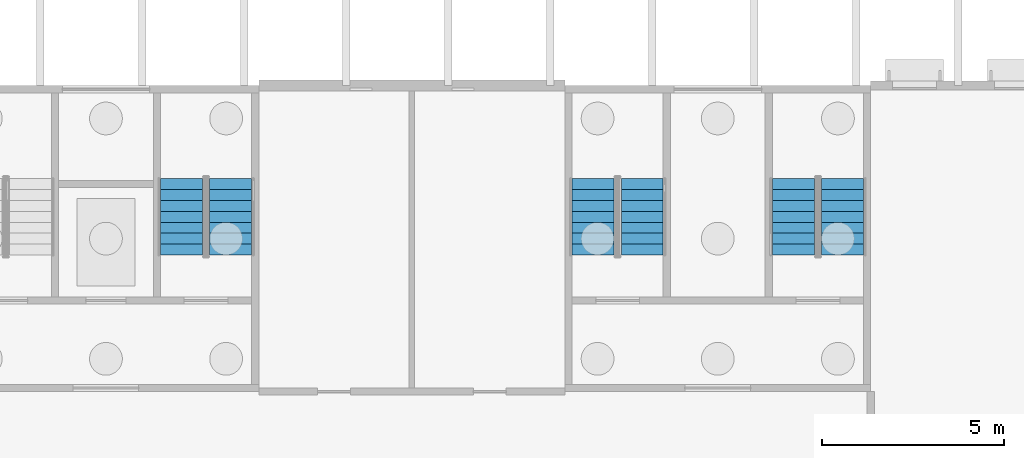
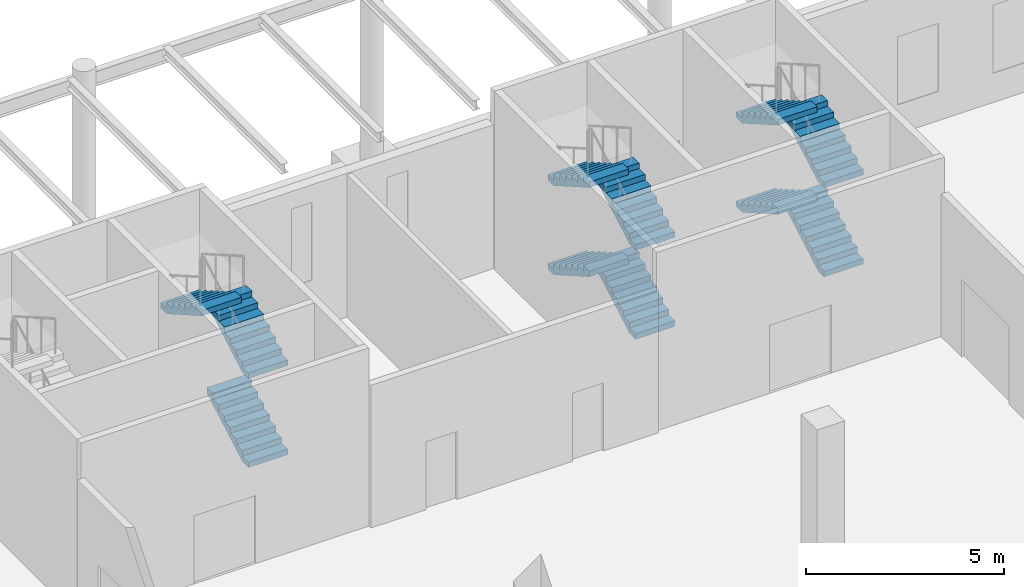
# One storey, part 48 of 82: 11 stair flights, 3 elements without a shape of their own.
"""IFC4 building model written with IfcOpenShell, lengths in metres."""

from ifc_helpers import new_model, si_unit, direction, frame, origin, place, context, subcontext, project, spatial, polyline, outline, extrude, material, type_object, element, aggregate, save


model = new_model("IFC4")

# Units and contexts
model_context = context("Model", 3, precision=1e-05, world=origin(), true_north=direction((0.0, 1.0)))
body_context = subcontext(model_context, "Body", "Model", "MODEL_VIEW")
ifc_project = project(units=[si_unit("LENGTHUNIT", "METRE"), si_unit("AREAUNIT", "SQUARE_METRE"), si_unit("VOLUMEUNIT", "CUBIC_METRE"), si_unit("PLANEANGLEUNIT", "RADIAN"), si_unit("MASSUNIT", "GRAM", prefix="KILO")], contexts=[model_context])

# Site, building, storey
site_placement = place(None, origin())
site = spatial("IfcSite", under=ifc_project, at=site_placement, CompositionType="ELEMENT")
building_placement = place(site_placement, origin())
building = spatial("IfcBuilding", under=site, at=building_placement, Name="Almond Square Museum", CompositionType="ELEMENT")
storey_placement = place(building_placement, origin())
storey = spatial("IfcBuildingStorey", under=building, at=storey_placement, Name="L00", CompositionType="ELEMENT", Elevation=0.0)

# Stair, stair flights
ifc_material_1 = material(Name="Concrete C40/50", Category="concrete")
stair_type = type_object("IfcStairType", Name="Exit stair 32 risers of 172 mm", PredefinedType="HALF_TURN_STAIR", material=ifc_material_1)
stair_1_placement = place(storey_placement, origin())
stair_1 = element("IfcStair", 1, at=stair_1_placement, inside=storey, type_object=stair_type, Name="L00 stair H3-1", PredefinedType="HALF_TURN_STAIR")
ifc_material_2 = material(Name="Concrete C40/50", Category="concrete")
stair_flight_type = type_object("IfcStairFlightType", Name="Concrete flight", PredefinedType="STRAIGHT", material=ifc_material_2)
stair_flight_1_placement = place(storey_placement, frame((142.52490234375, 104.550048828125, 0.0), z_axis=(0.0, 0.0, 1.0), x_axis=(0.0, 1.0, 0.0)))
stair_flight_1 = element("IfcStairFlight", 2, at=stair_flight_1_placement, type_object=stair_flight_type, Name="ST-05 flight 1", NumberOfRisers=8, NumberOfTreads=7, PredefinedType="STRAIGHT", RiserHeight=0.171875, TreadLength=0.3, context=body_context, shape_type="SweptSolid", body=[
    extrude(outline(polyline([(0.0, 0.0), (0.0, 0.171875), (0.300048828125, 0.171875), (0.300048828125, 0.34375), (0.60009765625, 0.34375), (0.60009765625, 0.515625), (0.89990234375, 0.515625), (0.89990234375, 0.6875), (1.199951171875, 0.6875), (1.199951171875, 0.859375), (1.5, 0.859375), (1.5, 1.03125), (1.800048828125, 1.03125), (1.800048828125, 1.203125), (2.10009765625, 1.203125), (2.10009765625, 1.375), (2.10009765625, 1.0302734375), (0.301513671875, 0.0), (0.0, 0.0)])), frame((0.0, 0.574951171875, 0.0), z_axis=(0.0, -1.0, 0.0), x_axis=(1.0, 0.0, 0.0)), (0.0, 0.0, 1.0), 1.14990234375),
])
stair_flight_2_placement = place(storey_placement, frame((141.175048828125, 106.64990234375, 1.375), z_axis=(0.0, 0.0, 1.0), x_axis=(0.0, -1.0, 0.0)))
stair_flight_2 = element("IfcStairFlight", 3, at=stair_flight_2_placement, type_object=stair_flight_type, Name="ST-05 flight 2", NumberOfRisers=8, NumberOfTreads=7, PredefinedType="STRAIGHT", RiserHeight=0.171875, TreadLength=0.3, context=body_context, shape_type="SweptSolid", body=[
    extrude(outline(polyline([(0.0, 0.0), (0.0, 0.171875), (0.300048828125, 0.171875), (0.300048828125, 0.34375), (0.60009765625, 0.34375), (0.60009765625, 0.515625), (0.89990234375, 0.515625), (0.89990234375, 0.6875), (1.199951171875, 0.6875), (1.199951171875, 0.859375), (1.5, 0.859375), (1.5, 1.03125), (1.800048828125, 1.03125), (1.800048828125, 1.203125), (2.10009765625, 1.203125), (2.10009765625, 1.375), (2.10009765625, 1.0302734375), (0.301513671875, 0.0), (0.0, 0.0)])), frame((0.0, 0.574951171875, 0.0), z_axis=(0.0, -1.0, 0.0), x_axis=(1.0, 0.0, 0.0)), (0.0, 0.0, 1.0), 1.14990234375),
])
stair_flight_3_placement = place(storey_placement, frame((142.52490234375, 104.550048828125, 2.75), z_axis=(0.0, 0.0, 1.0), x_axis=(0.0, 1.0, 0.0)))
stair_flight_3 = element("IfcStairFlight", 4, at=stair_flight_3_placement, type_object=stair_flight_type, Name="ST-05 flight 3", NumberOfRisers=8, NumberOfTreads=7, PredefinedType="STRAIGHT", RiserHeight=0.171875, TreadLength=0.3, context=body_context, shape_type="SweptSolid", body=[
    extrude(outline(polyline([(0.0, 0.0), (0.0, 0.171875), (0.300048828125, 0.171875), (0.300048828125, 0.34375), (0.60009765625, 0.34375), (0.60009765625, 0.515625), (0.89990234375, 0.515625), (0.89990234375, 0.6875), (1.199951171875, 0.6875), (1.199951171875, 0.859375), (1.5, 0.859375), (1.5, 1.03125), (1.800048828125, 1.03125), (1.800048828125, 1.203125), (2.10009765625, 1.203125), (2.10009765625, 1.375), (2.10009765625, 1.0302734375), (0.301513671875, 0.0), (0.0, 0.0)])), frame((0.0, 0.574951171875, 0.0), z_axis=(0.0, -1.0, 0.0), x_axis=(1.0, 0.0, 0.0)), (0.0, 0.0, 1.0), 1.14990234375),
])
stair_flight_4_placement = place(storey_placement, frame((141.175048828125, 106.64990234375, 4.125), z_axis=(0.0, 0.0, 1.0), x_axis=(0.0, -1.0, 0.0)))
stair_flight_4 = element("IfcStairFlight", 5, at=stair_flight_4_placement, type_object=stair_flight_type, Name="ST-05 flight 4", NumberOfRisers=8, NumberOfTreads=7, PredefinedType="STRAIGHT", RiserHeight=0.171875, TreadLength=0.3, context=body_context, shape_type="SweptSolid", body=[
    extrude(outline(polyline([(0.0, 0.0), (0.0, 0.171875), (0.300048828125, 0.171875), (0.300048828125, 0.34375), (0.60009765625, 0.34375), (0.60009765625, 0.515625), (0.89990234375, 0.515625), (0.89990234375, 0.6875), (1.199951171875, 0.6875), (1.199951171875, 0.859375), (1.5, 0.859375), (1.5, 1.03125), (1.800048828125, 1.03125), (1.800048828125, 1.203125), (2.10009765625, 1.203125), (2.10009765625, 1.375), (2.10009765625, 1.0302734375), (0.301513671875, 0.0), (0.0, 0.0)])), frame((0.0, 0.574951171875, 0.0), z_axis=(0.0, -1.0, 0.0), x_axis=(1.0, 0.0, 0.0)), (0.0, 0.0, 1.0), 1.14990234375),
])
aggregate(stair_1, [stair_flight_1, stair_flight_2, stair_flight_3, stair_flight_4])

stair_2_placement = place(storey_placement, origin())
stair_2 = element("IfcStair", 6, at=stair_2_placement, inside=storey, type_object=stair_type, Name="L00 stair H3-2", PredefinedType="HALF_TURN_STAIR")
stair_flight_5_placement = place(storey_placement, frame((148.02490234375, 104.550048828125, 0.0), z_axis=(0.0, 0.0, 1.0), x_axis=(0.0, 1.0, 0.0)))
stair_flight_5 = element("IfcStairFlight", 7, at=stair_flight_5_placement, type_object=stair_flight_type, Name="ST-06 flight 1", NumberOfRisers=8, NumberOfTreads=7, PredefinedType="STRAIGHT", RiserHeight=0.171875, TreadLength=0.3, context=body_context, shape_type="SweptSolid", body=[
    extrude(outline(polyline([(0.0, 0.0), (0.0, 0.171875), (0.300048828125, 0.171875), (0.300048828125, 0.34375), (0.60009765625, 0.34375), (0.60009765625, 0.515625), (0.89990234375, 0.515625), (0.89990234375, 0.6875), (1.199951171875, 0.6875), (1.199951171875, 0.859375), (1.5, 0.859375), (1.5, 1.03125), (1.800048828125, 1.03125), (1.800048828125, 1.203125), (2.10009765625, 1.203125), (2.10009765625, 1.375), (2.10009765625, 1.0302734375), (0.301513671875, 0.0), (0.0, 0.0)])), frame((0.0, 0.574951171875, 0.0), z_axis=(0.0, -1.0, 0.0), x_axis=(1.0, 0.0, 0.0)), (0.0, 0.0, 1.0), 1.14990234375),
])
stair_flight_6_placement = place(storey_placement, frame((146.675048828125, 106.64990234375, 1.375), z_axis=(0.0, 0.0, 1.0), x_axis=(0.0, -1.0, 0.0)))
stair_flight_6 = element("IfcStairFlight", 8, at=stair_flight_6_placement, type_object=stair_flight_type, Name="ST-06 flight 2", NumberOfRisers=8, NumberOfTreads=7, PredefinedType="STRAIGHT", RiserHeight=0.171875, TreadLength=0.3, context=body_context, shape_type="SweptSolid", body=[
    extrude(outline(polyline([(0.0, 0.0), (0.0, 0.171875), (0.300048828125, 0.171875), (0.300048828125, 0.34375), (0.60009765625, 0.34375), (0.60009765625, 0.515625), (0.89990234375, 0.515625), (0.89990234375, 0.6875), (1.199951171875, 0.6875), (1.199951171875, 0.859375), (1.5, 0.859375), (1.5, 1.03125), (1.800048828125, 1.03125), (1.800048828125, 1.203125), (2.10009765625, 1.203125), (2.10009765625, 1.375), (2.10009765625, 1.0302734375), (0.301513671875, 0.0), (0.0, 0.0)])), frame((0.0, 0.574951171875, 0.0), z_axis=(0.0, -1.0, 0.0), x_axis=(1.0, 0.0, 0.0)), (0.0, 0.0, 1.0), 1.14990234375),
])
stair_flight_7_placement = place(storey_placement, frame((148.02490234375, 104.550048828125, 2.75), z_axis=(0.0, 0.0, 1.0), x_axis=(0.0, 1.0, 0.0)))
stair_flight_7 = element("IfcStairFlight", 9, at=stair_flight_7_placement, type_object=stair_flight_type, Name="ST-06 flight 3", NumberOfRisers=8, NumberOfTreads=7, PredefinedType="STRAIGHT", RiserHeight=0.171875, TreadLength=0.3, context=body_context, shape_type="SweptSolid", body=[
    extrude(outline(polyline([(0.0, 0.0), (0.0, 0.171875), (0.300048828125, 0.171875), (0.300048828125, 0.34375), (0.60009765625, 0.34375), (0.60009765625, 0.515625), (0.89990234375, 0.515625), (0.89990234375, 0.6875), (1.199951171875, 0.6875), (1.199951171875, 0.859375), (1.5, 0.859375), (1.5, 1.03125), (1.800048828125, 1.03125), (1.800048828125, 1.203125), (2.10009765625, 1.203125), (2.10009765625, 1.375), (2.10009765625, 1.0302734375), (0.301513671875, 0.0), (0.0, 0.0)])), frame((0.0, 0.574951171875, 0.0), z_axis=(0.0, -1.0, 0.0), x_axis=(1.0, 0.0, 0.0)), (0.0, 0.0, 1.0), 1.14990234375),
])
stair_flight_8_placement = place(storey_placement, frame((146.675048828125, 106.64990234375, 4.125), z_axis=(0.0, 0.0, 1.0), x_axis=(0.0, -1.0, 0.0)))
stair_flight_8 = element("IfcStairFlight", 10, at=stair_flight_8_placement, type_object=stair_flight_type, Name="ST-06 flight 4", NumberOfRisers=8, NumberOfTreads=7, PredefinedType="STRAIGHT", RiserHeight=0.171875, TreadLength=0.3, context=body_context, shape_type="SweptSolid", body=[
    extrude(outline(polyline([(0.0, 0.0), (0.0, 0.171875), (0.300048828125, 0.171875), (0.300048828125, 0.34375), (0.60009765625, 0.34375), (0.60009765625, 0.515625), (0.89990234375, 0.515625), (0.89990234375, 0.6875), (1.199951171875, 0.6875), (1.199951171875, 0.859375), (1.5, 0.859375), (1.5, 1.03125), (1.800048828125, 1.03125), (1.800048828125, 1.203125), (2.10009765625, 1.203125), (2.10009765625, 1.375), (2.10009765625, 1.0302734375), (0.301513671875, 0.0), (0.0, 0.0)])), frame((0.0, 0.574951171875, 0.0), z_axis=(0.0, -1.0, 0.0), x_axis=(1.0, 0.0, 0.0)), (0.0, 0.0, 1.0), 1.14990234375),
])
aggregate(stair_2, [stair_flight_5, stair_flight_6, stair_flight_7, stair_flight_8])

stair_3_placement = place(storey_placement, origin())
stair_3 = element("IfcStair", 11, at=stair_3_placement, inside=storey, type_object=stair_type, Name="L00 stair H4-2", PredefinedType="HALF_TURN_STAIR")
stair_flight_9_placement = place(storey_placement, frame((131.22509765625, 104.550048828125, 0.0), z_axis=(0.0, 0.0, 1.0), x_axis=(0.0, 1.0, 0.0)))
stair_flight_9 = element("IfcStairFlight", 12, at=stair_flight_9_placement, type_object=stair_flight_type, Name="ST-08 flight 1", NumberOfRisers=8, NumberOfTreads=7, PredefinedType="STRAIGHT", RiserHeight=0.171875, TreadLength=0.3, context=body_context, shape_type="SweptSolid", body=[
    extrude(outline(polyline([(0.0, 0.0), (0.0, 0.171875), (0.300048828125, 0.171875), (0.300048828125, 0.34375), (0.60009765625, 0.34375), (0.60009765625, 0.515625), (0.89990234375, 0.515625), (0.89990234375, 0.6875), (1.199951171875, 0.6875), (1.199951171875, 0.859375), (1.5, 0.859375), (1.5, 1.03125), (1.800048828125, 1.03125), (1.800048828125, 1.203125), (2.10009765625, 1.203125), (2.10009765625, 1.375), (2.10009765625, 1.0302734375), (0.301513671875, 0.0), (0.0, 0.0)])), frame((0.0, 0.574951171875, 0.0), z_axis=(0.0, -1.0, 0.0), x_axis=(1.0, 0.0, 0.0)), (0.0, 0.0, 1.0), 1.14990234375),
])
stair_flight_10_placement = place(storey_placement, frame((131.22509765625, 104.550048828125, 2.75), z_axis=(0.0, 0.0, 1.0), x_axis=(0.0, 1.0, 0.0)))
stair_flight_10 = element("IfcStairFlight", 13, at=stair_flight_10_placement, type_object=stair_flight_type, Name="ST-08 flight 3", NumberOfRisers=8, NumberOfTreads=7, PredefinedType="STRAIGHT", RiserHeight=0.171875, TreadLength=0.3, context=body_context, shape_type="SweptSolid", body=[
    extrude(outline(polyline([(0.0, 0.0), (0.0, 0.171875), (0.300048828125, 0.171875), (0.300048828125, 0.34375), (0.60009765625, 0.34375), (0.60009765625, 0.515625), (0.89990234375, 0.515625), (0.89990234375, 0.6875), (1.199951171875, 0.6875), (1.199951171875, 0.859375), (1.5, 0.859375), (1.5, 1.03125), (1.800048828125, 1.03125), (1.800048828125, 1.203125), (2.10009765625, 1.203125), (2.10009765625, 1.375), (2.10009765625, 1.0302734375), (0.301513671875, 0.0), (0.0, 0.0)])), frame((0.0, 0.574951171875, 0.0), z_axis=(0.0, -1.0, 0.0), x_axis=(1.0, 0.0, 0.0)), (0.0, 0.0, 1.0), 1.14990234375),
])
stair_flight_11_placement = place(storey_placement, frame((129.875, 106.64990234375, 4.125), z_axis=(0.0, 0.0, 1.0), x_axis=(0.0, -1.0, 0.0)))
stair_flight_11 = element("IfcStairFlight", 14, at=stair_flight_11_placement, type_object=stair_flight_type, Name="ST-08 flight 4", NumberOfRisers=8, NumberOfTreads=7, PredefinedType="STRAIGHT", RiserHeight=0.171875, TreadLength=0.3, context=body_context, shape_type="SweptSolid", body=[
    extrude(outline(polyline([(0.0, 0.0), (0.0, 0.171875), (0.300048828125, 0.171875), (0.300048828125, 0.34375), (0.60009765625, 0.34375), (0.60009765625, 0.515625), (0.89990234375, 0.515625), (0.89990234375, 0.6875), (1.199951171875, 0.6875), (1.199951171875, 0.859375), (1.5, 0.859375), (1.5, 1.03125), (1.800048828125, 1.03125), (1.800048828125, 1.203125), (2.10009765625, 1.203125), (2.10009765625, 1.375), (2.10009765625, 1.0302734375), (0.301513671875, 0.0), (0.0, 0.0)])), frame((0.0, 0.574951171875, 0.0), z_axis=(0.0, -1.0, 0.0), x_axis=(1.0, 0.0, 0.0)), (0.0, 0.0, 1.0), 1.14990234375),
])
aggregate(stair_3, [stair_flight_9, stair_flight_10, stair_flight_11])

save(model, "model.ifc")
